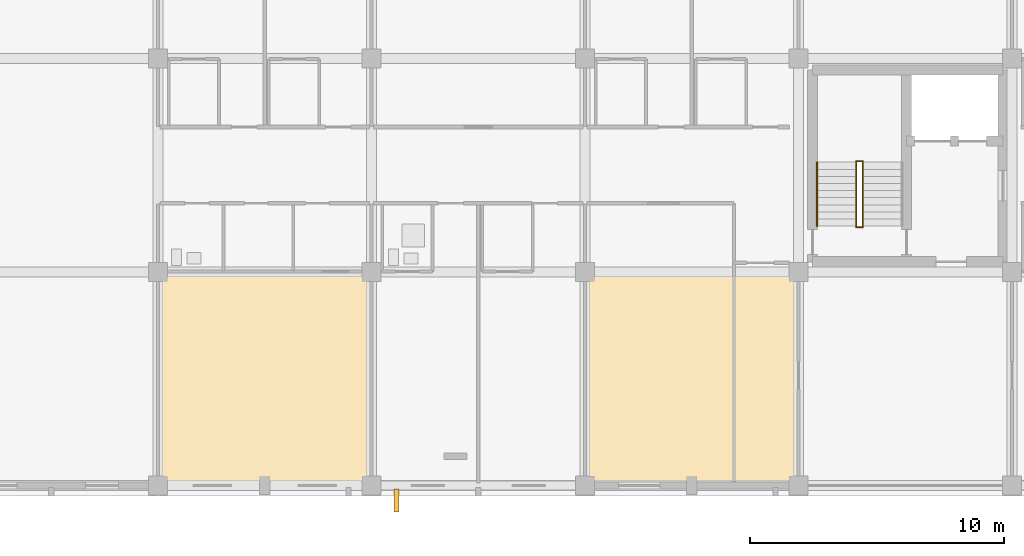
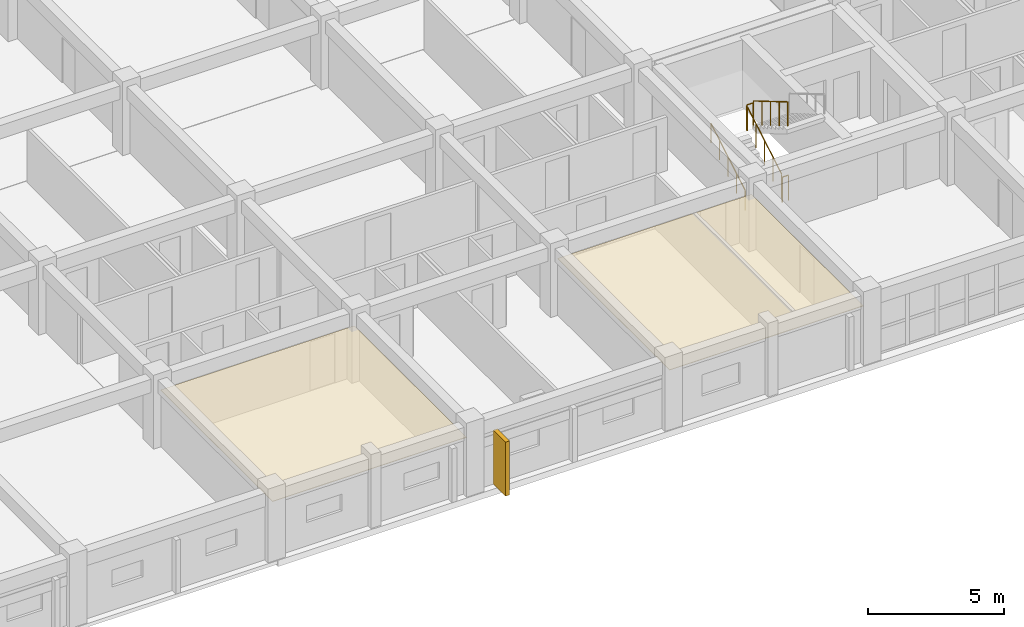
# One storey, part 189 of 200: 5 railings, 2 coverings, 1 shading device.
"""IFC4 building model written with IfcOpenShell, lengths in metres."""

from ifc_helpers import new_model, si_unit, direction, frame, origin, origin_2d, place, context, subcontext, project, spatial, polyline, rectangle, circle, outline, extrude, material, layer, layer_set, type_object, element, save


model = new_model("IFC4")

# Units and contexts
model_context = context("Model", 3, precision=1e-05, world=origin(), true_north=direction((0.0, 1.0)))
body_context = subcontext(model_context, "Body", "Model", "MODEL_VIEW")
ifc_project = project(units=[si_unit("LENGTHUNIT", "METRE"), si_unit("AREAUNIT", "SQUARE_METRE"), si_unit("VOLUMEUNIT", "CUBIC_METRE"), si_unit("PLANEANGLEUNIT", "RADIAN"), si_unit("MASSUNIT", "GRAM", prefix="KILO")], contexts=[model_context])

# Site, building, storey
site_placement = place(None, origin())
site = spatial("IfcSite", under=ifc_project, at=site_placement, CompositionType="ELEMENT")
building_placement = place(site_placement, origin())
building = spatial("IfcBuilding", under=site, at=building_placement, Name="Trelvath General Hospital", CompositionType="ELEMENT")
storey_placement = place(building_placement, frame((0.0, 0.0, 4.800048828125)))
storey = spatial("IfcBuildingStorey", under=building, at=storey_placement, Name="L01", CompositionType="ELEMENT", Elevation=4.800048828125)

# Shading device
ifc_material_1 = material(Name="Precast concrete C40/50", Category="concrete")
shading_device_type = type_object("IfcShadingDeviceType", Name="BriseSoleil PrecastFin900", PredefinedType="JALOUSIE", material=ifc_material_1)
shading_device_placement = place(storey_placement, frame((26.182861328125, -0.590087890625, 0.0), z_axis=(0.0, 0.0, 1.0), x_axis=(0.0, -1.0, 0.0)))
element("IfcShadingDevice", 1, at=shading_device_placement, inside=storey, type_object=shading_device_type, Name="Solar Brise-Soleil Screen L01-19", PredefinedType="JALOUSIE", context=body_context, shape_type="SweptSolid", body=[
    extrude(rectangle(XDim=0.89990234375, YDim=0.179931640625, at=origin_2d()), origin(), (0.0, 0.0, 1.0), 2.419921875),
])

# Coverings
ifc_material_2 = material(Name="Hygienic acoustic ceiling tile")
ifc_layer = layer(ifc_material_2, 0.02490234375)
ifc_layer_set = layer_set([ifc_layer], Name="Hygienic acoustic ceiling tile")
covering_type = type_object("IfcCoveringType", Name="Ceiling ClinicalAcoustic", PredefinedType="CEILING", material=ifc_layer_set)
covering_1_placement = place(storey_placement, frame((0.0, 0.0, 2.280029296875)))
element("IfcCovering", 2, at=covering_1_placement, inside=storey, type_object=covering_type, Name="Clinical Acoustic Ceiling L01-13", PredefinedType="CEILING", context=body_context, shape_type="SweptSolid", body=[
    extrude(outline(polyline([(16.89990234375, 0.10009765625), (25.10009765625, 0.10009765625), (25.10009765625, 8.320068359375), (16.89990234375, 8.320068359375), (16.89990234375, 0.10009765625)])), origin(), (0.0, 0.0, 1.0), 0.02490234375),
])
covering_2_placement = place(storey_placement, frame((0.0, 0.0, 2.280029296875)))
element("IfcCovering", 3, at=covering_2_placement, inside=storey, type_object=covering_type, Name="Clinical Acoustic Ceiling L01-14", PredefinedType="CEILING", context=body_context, shape_type="SweptSolid", body=[
    extrude(outline(polyline([(33.699951171875, 0.10009765625), (41.89990234375, 0.10009765625), (41.89990234375, 8.320068359375), (33.699951171875, 8.320068359375), (33.699951171875, 0.10009765625)])), origin(), (0.0, 0.0, 1.0), 0.02490234375),
])

# Railings
ifc_material_3 = material(Name="Architectural painted steel", Category="steel")
railing_type_1 = type_object("IfcRailingType", Name="Guardrail Terrace1150", PredefinedType="GUARDRAIL", material=ifc_material_3)
railing_1_placement = place(storey_placement, frame((44.27001953125, 10.159912109375, 0.0)))
element("IfcRailing", 4, at=railing_1_placement, inside=storey, type_object=railing_type_1, Name="Stair Well Edge Guard C4 L01 126", PredefinedType="GUARDRAIL", context=body_context, shape_type="SweptSolid", body=[
    extrude(circle(Radius=0.02392578125, at=origin_2d()), frame((0.0, 0.0, 1.1259765625), z_axis=(1.0, 0.0, 0.0), x_axis=(0.0, 1.0, 0.0)), (0.0, 0.0, 1.0), 0.260009765625),
    extrude(circle(Radius=0.02099609375, at=origin_2d()), origin(), (0.0, 0.0, 1.0), 1.099853515625),
    extrude(circle(Radius=0.02099609375, at=origin_2d()), frame((0.260009765625, 0.0, 0.0)), (0.0, 0.0, 1.0), 1.099853515625),
])
railing_2_placement = place(storey_placement, frame((44.530029296875, 12.719970703125, 1.81494140625)))
element("IfcRailing", 5, at=railing_2_placement, inside=storey, type_object=railing_type_1, Name="Stair Rail ST4 L01 F2 L 128", PredefinedType="GUARDRAIL", context=body_context, shape_type="SweptSolid", body=[
    extrude(circle(Radius=0.02392578125, at=origin_2d()), frame((0.0, 0.0, 1.076171875), z_axis=(0.0, -0.86152411907, 0.507716645641), x_axis=(1.0, 0.0, 0.0)), (0.0, 0.0, 1.0), 2.925048828125),
    extrude(circle(Radius=0.02099609375, at=origin_2d()), origin(), (0.0, 0.0, 1.0), 1.050048828125),
    extrude(circle(Radius=0.02099609375, at=origin_2d()), frame((0.0, -0.6298828125, 0.371337890625)), (0.0, 0.0, 1.0), 1.050048828125),
    extrude(circle(Radius=0.02099609375, at=origin_2d()), frame((0.0, -1.260009765625, 0.74267578125)), (0.0, 0.0, 1.0), 1.050048828125),
    extrude(circle(Radius=0.02099609375, at=origin_2d()), frame((0.0, -1.89013671875, 1.11376953125)), (0.0, 0.0, 1.0), 1.050048828125),
    extrude(circle(Radius=0.02099609375, at=origin_2d()), frame((0.0, -2.52001953125, 1.485107421875)), (0.0, 0.0, 1.0), 1.050048828125),
])
railing_3_placement = place(storey_placement, frame((44.27001953125, 10.199951171875, 0.1650390625)))
element("IfcRailing", 6, at=railing_3_placement, inside=storey, type_object=railing_type_1, Name="Stair Rail ST4 L01 F1 R 129", PredefinedType="GUARDRAIL", context=body_context, shape_type="SweptSolid", body=[
    extrude(circle(Radius=0.02392578125, at=origin_2d()), frame((0.0, 0.0, 1.076171875), z_axis=(0.0, 0.861560626758, 0.507654692109), x_axis=(-1.0, 0.0, 0.0)), (0.0, 0.0, 1.0), 2.925048828125),
    extrude(circle(Radius=0.02099609375, at=origin_2d()), origin(), (0.0, 0.0, 1.0), 1.050048828125),
    extrude(circle(Radius=0.02099609375, at=origin_2d()), frame((0.0, 0.6298828125, 0.37109375)), (0.0, 0.0, 1.0), 1.050048828125),
    extrude(circle(Radius=0.02099609375, at=origin_2d()), frame((0.0, 1.260009765625, 0.742431640625)), (0.0, 0.0, 1.0), 1.050048828125),
    extrude(circle(Radius=0.02099609375, at=origin_2d()), frame((0.0, 1.89013671875, 1.11376953125)), (0.0, 0.0, 1.0), 1.050048828125),
    extrude(circle(Radius=0.02099609375, at=origin_2d()), frame((0.0, 2.52001953125, 1.48486328125)), (0.0, 0.0, 1.0), 1.050048828125),
])
railing_4_placement = place(storey_placement, frame((44.27001953125, 12.760009765625, 1.64990234375)))
element("IfcRailing", 7, at=railing_4_placement, inside=storey, type_object=railing_type_1, Name="Half-Landing Well Guard ST4 L01 131", PredefinedType="GUARDRAIL", context=body_context, shape_type="SweptSolid", body=[
    extrude(circle(Radius=0.02392578125, at=origin_2d()), frame((0.0, 0.0, 1.1259765625), z_axis=(1.0, 0.0, 0.0), x_axis=(0.0, 1.0, 0.0)), (0.0, 0.0, 1.0), 0.260009765625),
    extrude(circle(Radius=0.02099609375, at=origin_2d()), origin(), (0.0, 0.0, 1.0), 1.099853515625),
    extrude(circle(Radius=0.02099609375, at=origin_2d()), frame((0.260009765625, 0.0, 0.0)), (0.0, 0.0, 1.0), 1.099853515625),
])
ifc_material_4 = material(Name="Brushed stainless steel", Category="steel")
railing_type_2 = type_object("IfcRailingType", Name="Handrail Stair900", PredefinedType="HANDRAIL", material=ifc_material_4)
railing_5_placement = place(storey_placement, frame((42.72998046875, 10.199951171875, 0.1650390625)))
element("IfcRailing", 8, at=railing_5_placement, inside=storey, type_object=railing_type_2, Name="Stair Rail ST4 L01 F1 L 127", PredefinedType="HANDRAIL", context=body_context, shape_type="SweptSolid", body=[
    extrude(circle(Radius=0.02392578125, at=origin_2d()), frame((0.0, 0.0, 0.8759765625), z_axis=(0.0, 0.861560626758, 0.507654692109), x_axis=(-1.0, 0.0, 0.0)), (0.0, 0.0, 1.0), 2.925048828125),
    extrude(circle(Radius=0.02099609375, at=origin_2d()), origin(), (0.0, 0.0, 1.0), 0.849853515625),
    extrude(circle(Radius=0.02099609375, at=origin_2d()), frame((0.0, 0.6298828125, 0.37109375)), (0.0, 0.0, 1.0), 0.849853515625),
    extrude(circle(Radius=0.02099609375, at=origin_2d()), frame((0.0, 1.260009765625, 0.742431640625)), (0.0, 0.0, 1.0), 0.849853515625),
    extrude(circle(Radius=0.02099609375, at=origin_2d()), frame((0.0, 1.89013671875, 1.11376953125)), (0.0, 0.0, 1.0), 0.849853515625),
    extrude(circle(Radius=0.02099609375, at=origin_2d()), frame((0.0, 2.52001953125, 1.48486328125)), (0.0, 0.0, 1.0), 0.849853515625),
])

save(model, "model.ifc")
